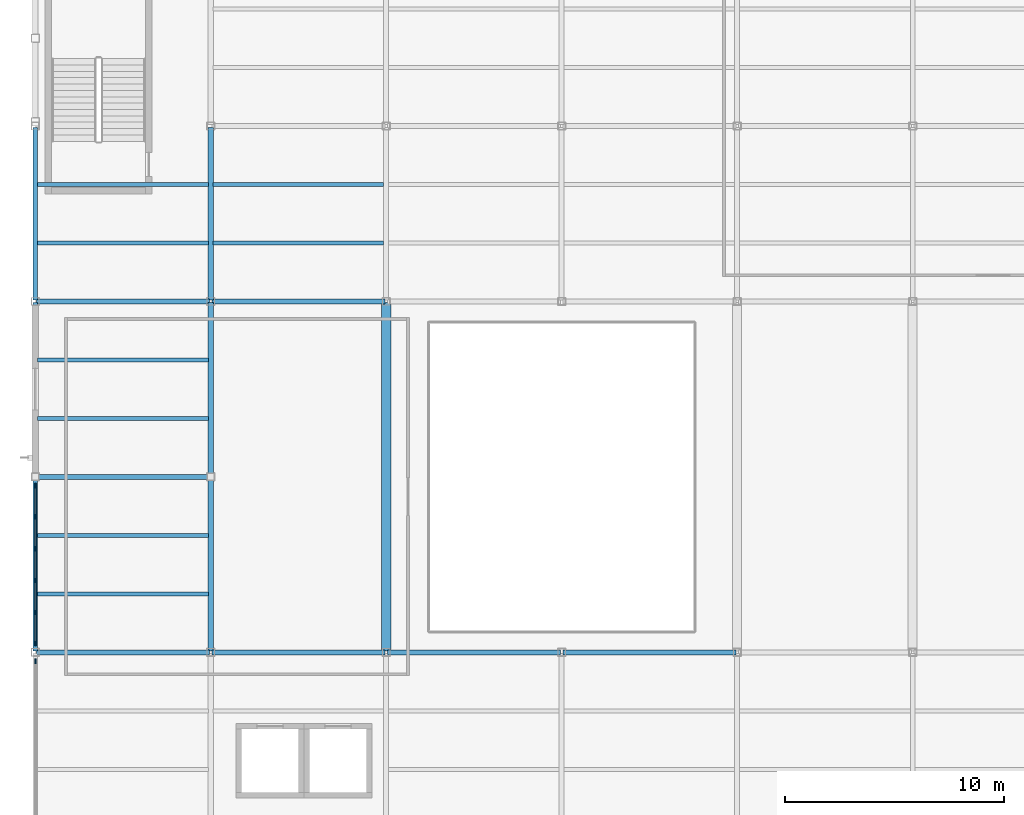
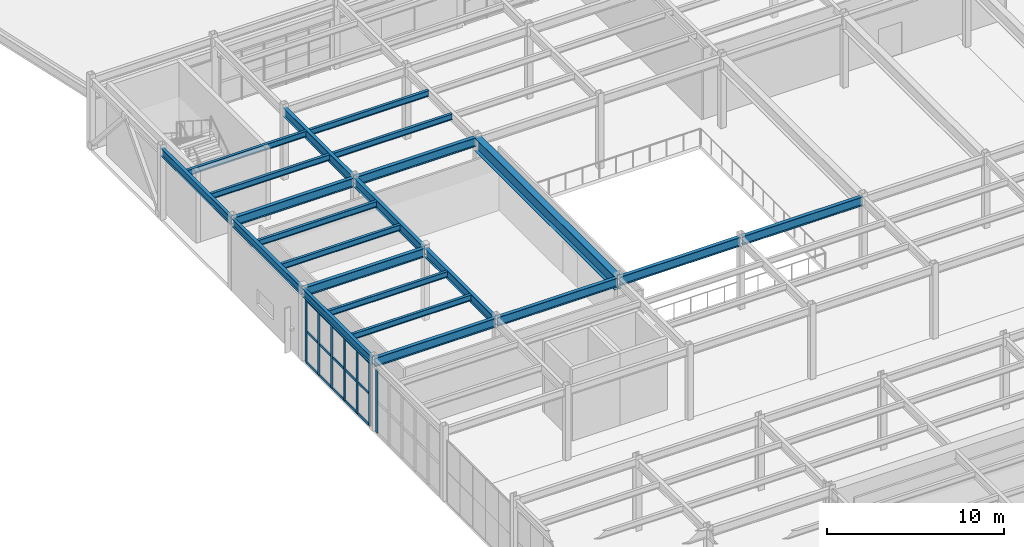
# One storey, part 31 of 77: 22 beams, 10 members, 2 elements without a shape of their own.
"""IFC4 building model written with IfcOpenShell, lengths in metres."""

from ifc_helpers import new_model, si_unit, direction, frame, origin, origin_2d, place, context, subcontext, project, spatial, rectangle, i_section, extrude, material, material_profile, profile_set, type_object, element, aggregate, save


model = new_model("IFC4")

# Units and contexts
model_context = context("Model", 3, precision=1e-05, world=origin(), true_north=direction((0.0, 1.0)))
body_context = subcontext(model_context, "Body", "Model", "MODEL_VIEW")
ifc_project = project(units=[si_unit("LENGTHUNIT", "METRE"), si_unit("AREAUNIT", "SQUARE_METRE"), si_unit("VOLUMEUNIT", "CUBIC_METRE"), si_unit("PLANEANGLEUNIT", "RADIAN"), si_unit("MASSUNIT", "GRAM", prefix="KILO")], contexts=[model_context])

# Site, building, storey
site_placement = place(None, origin())
site = spatial("IfcSite", under=ifc_project, at=site_placement, CompositionType="ELEMENT")
building_placement = place(site_placement, origin())
building = spatial("IfcBuilding", under=site, at=building_placement, Name="Drelvath Fold Interchange", CompositionType="ELEMENT")
storey_placement = place(building_placement, frame((0.0, 0.0, 6.0)))
storey = spatial("IfcBuildingStorey", under=building, at=storey_placement, Name="L01", CompositionType="ELEMENT", Elevation=6.0)

# Beams
ifc_material_1 = material(Name="Steel ASTM A992 Grade 50", Category="steel")
ifc_material_profile_1 = material_profile(ifc_material_1, i_section(OverallWidth=0.177978515625, OverallDepth=0.403076171875, WebThickness=0.007568359375, FlangeThickness=0.010986328125, at=origin_2d()), Name="W16X36")
ifc_profile_set_1 = profile_set([ifc_material_profile_1], Name="Steel ASTM A992 Grade 50")
beam_type_1 = type_object("IfcBeamType", Name="BM-W16X36", PredefinedType="JOIST", material=ifc_profile_set_1)
for number, where, z_axis, x_axis, name in (
    (1, (4.10302734375, 69.6669921875, 4.748046875), (1.0, 0.0, 0.0), (0.0, 1.0, 0.0), "L01 Secondary floor joist BM-W16X36"),
    (2, (4.10302734375, 72.3330078125, 4.748046875), (1.0, 0.0, 0.0), (0.0, 1.0, 0.0), "L01 Secondary floor joist BM-W16X36"),
    (3, (4.10302734375, 77.6669921875, 4.748046875), (1.0, 0.0, 0.0), (0.0, 1.0, 0.0), "L01 Secondary floor joist BM-W16X36"),
    (4, (4.10302734375, 80.3330078125, 4.748046875), (1.0, 0.0, 0.0), (0.0, 1.0, 0.0), "L01 Secondary floor joist BM-W16X36"),
    (5, (4.10302734375, 85.6669921875, 4.748046875), (1.0, 0.0, 0.0), (0.0, 1.0, 0.0), "L01 Secondary floor joist BM-W16X36"),
    (6, (4.10302734375, 88.3330078125, 4.748046875), (1.0, 0.0, 0.0), (0.0, 1.0, 0.0), "L01 Secondary floor joist BM-W16X36"),
):
    element("IfcBeam", number, at=place(storey_placement, frame(where, z_axis=z_axis, x_axis=x_axis)), inside=storey, type_object=beam_type_1, Name=name, PredefinedType="JOIST", context=body_context, shape_type="SweptSolid", body=[
        extrude(i_section(OverallWidth=0.177978515625, OverallDepth=0.403076171875, WebThickness=0.007568359375, FlangeThickness=0.010986328125, at=origin_2d()), origin(), (0.0, 0.0, 1.0), 7.783935546875),
    ])
for number, where, z_axis, x_axis, name in (
    (7, (12.113037109375, 85.6669921875, 4.748046875), (1.0, 0.0, 0.0), (0.0, 1.0, 0.0), "L01 Secondary floor joist BM-W16X36"),
    (8, (12.113037109375, 88.3330078125, 4.748046875), (1.0, 0.0, 0.0), (0.0, 1.0, 0.0), "L01 Secondary floor joist BM-W16X36"),
):
    element("IfcBeam", number, at=place(storey_placement, frame(where, z_axis=z_axis, x_axis=x_axis)), inside=storey, type_object=beam_type_1, Name=name, PredefinedType="JOIST", context=body_context, shape_type="SweptSolid", body=[
        extrude(i_section(OverallWidth=0.177978515625, OverallDepth=0.403076171875, WebThickness=0.007568359375, FlangeThickness=0.010986328125, at=origin_2d()), origin(), (0.0, 0.0, 1.0), 7.77392578125),
    ])
ifc_material_profile_2 = material_profile(ifc_material_1, i_section(OverallWidth=0.2099609375, OverallDepth=0.537109375, WebThickness=0.010986328125, FlangeThickness=0.017333984375, at=origin_2d()), Name="W21X68")
ifc_profile_set_2 = profile_set([ifc_material_profile_2], Name="Steel ASTM A992 Grade 50")
beam_type_2 = type_object("IfcBeamType", Name="BM-W21X68", PredefinedType="SPANDREL", material=ifc_profile_set_2)
for number, where, z_axis, x_axis, name in (
    (9, (4.0, 67.06005859375, 4.680908203125), (0.0, 1.0, 0.0), (-1.0, 0.0, 0.0), "L01 Primary Y girder BM-W21X68"),
    (10, (4.0, 75.06005859375, 4.680908203125), (0.0, 1.0, 0.0), (-1.0, 0.0, 0.0), "L01 Primary Y girder BM-W21X68"),
    (11, (4.0, 83.06005859375, 4.680908203125), (0.0, 1.0, 0.0), (-1.0, 0.0, 0.0), "L01 Primary Y girder BM-W21X68"),
):
    element("IfcBeam", number, at=place(storey_placement, frame(where, z_axis=z_axis, x_axis=x_axis)), inside=storey, type_object=beam_type_2, Name=name, PredefinedType="SPANDREL", context=body_context, shape_type="SweptSolid", body=[
        extrude(i_section(OverallWidth=0.2099609375, OverallDepth=0.537109375, WebThickness=0.010986328125, FlangeThickness=0.017333984375, at=origin_2d()), origin(), (0.0, 0.0, 1.0), 7.8798828125),
    ])
ifc_material_profile_3 = material_profile(ifc_material_1, i_section(OverallWidth=0.22998046875, OverallDepth=0.616943359375, WebThickness=0.01318359375, FlangeThickness=0.022216796875, at=origin_2d()), Name="W24X94")
ifc_profile_set_3 = profile_set([ifc_material_profile_3], Name="Steel ASTM A992 Grade 50")
beam_type_3 = type_object("IfcBeamType", Name="BM-W24X94", PredefinedType="BEAM", material=ifc_profile_set_3)
for number, where, z_axis, x_axis, name in (
    (12, (4.06005859375, 67.0, 4.64111328125), (1.0, 0.0, 0.0), (0.0, 1.0, 0.0), "L01 Primary X girder BM-W24X94"),
    (13, (12.06005859375, 67.0, 4.64111328125), (1.0, 0.0, 0.0), (0.0, 1.0, 0.0), "L01 Primary X girder BM-W24X94"),
    (14, (20.06005859375, 67.0, 4.64111328125), (1.0, 0.0, 0.0), (0.0, 1.0, 0.0), "L01 Primary X girder BM-W24X94"),
    (15, (28.06005859375, 67.0, 4.64111328125), (1.0, 0.0, 0.0), (0.0, 1.0, 0.0), "L01 Primary X girder BM-W24X94"),
    (16, (4.06005859375, 75.0, 4.64111328125), (1.0, 0.0, 0.0), (0.0, 1.0, 0.0), "L01 Primary X girder BM-W24X94"),
    (17, (4.06005859375, 83.0, 4.64111328125), (1.0, 0.0, 0.0), (0.0, 1.0, 0.0), "L01 Primary X girder BM-W24X94"),
    (18, (12.06005859375, 83.0, 4.64111328125), (1.0, 0.0, 0.0), (0.0, 1.0, 0.0), "L01 Primary X girder BM-W24X94"),
    (19, (12.0, 67.06005859375, 4.64111328125), (0.0, 1.0, 0.0), (-1.0, 0.0, 0.0), "L01 Primary Y girder BM-W24X94"),
    (20, (12.0, 75.06005859375, 4.64111328125), (0.0, 1.0, 0.0), (-1.0, 0.0, 0.0), "L01 Primary Y girder BM-W24X94"),
    (21, (12.0, 83.06005859375, 4.64111328125), (0.0, 1.0, 0.0), (-1.0, 0.0, 0.0), "L01 Primary Y girder BM-W24X94"),
):
    element("IfcBeam", number, at=place(storey_placement, frame(where, z_axis=z_axis, x_axis=x_axis)), inside=storey, type_object=beam_type_3, Name=name, PredefinedType="BEAM", context=body_context, shape_type="SweptSolid", body=[
        extrude(i_section(OverallWidth=0.22998046875, OverallDepth=0.616943359375, WebThickness=0.01318359375, FlangeThickness=0.022216796875, at=origin_2d()), origin(), (0.0, 0.0, 1.0), 7.8798828125),
    ])
ifc_material_profile_4 = material_profile(ifc_material_1, i_section(OverallWidth=0.41796875, OverallDepth=0.927001953125, WebThickness=0.019287109375, FlangeThickness=0.031982421875, at=origin_2d()), Name="W36X231")
ifc_profile_set_4 = profile_set([ifc_material_profile_4], Name="Steel ASTM A992 Grade 50")
beam_type_4 = type_object("IfcBeamType", Name="BM-W36X231", PredefinedType="USERDEFINED", material=ifc_profile_set_4)
beam_placement = place(storey_placement, frame((20.0, 67.06005859375, 4.486083984375), z_axis=(0.0, 1.0, 0.0), x_axis=(-1.0, 0.0, 0.0)))
element("IfcBeam", 22, at=beam_placement, inside=storey, type_object=beam_type_4, Name="L01 Primary Y girder BM-W36X231", ObjectType="GIRDER", PredefinedType="USERDEFINED", context=body_context, shape_type="SweptSolid", body=[
    extrude(i_section(OverallWidth=0.41796875, OverallDepth=0.927001953125, WebThickness=0.019287109375, FlangeThickness=0.031982421875, at=origin_2d()), origin(), (0.0, 0.0, 1.0), 15.8798828125),
])

# Curtain wall, member
ifc_material_2 = material(Name="Anodized Aluminium 6063-T6", Category="aluminium")
curtain_wall_type = type_object("IfcCurtainWallType", Name="CW-CON-520", PredefinedType="USERDEFINED", material=ifc_material_2)
curtain_wall_1_placement = place(storey_placement, origin())
curtain_wall_1 = element("IfcCurtainWall", 23, at=curtain_wall_1_placement, inside=storey, type_object=curtain_wall_type, Name="Curtain wall CW-V1-L01-W59", ObjectType="UNITISED CURTAIN WALL", PredefinedType="USERDEFINED")
ifc_material_profile_5 = material_profile(ifc_material_2, rectangle(XDim=0.06494140625, YDim=0.219970703125, at=origin_2d()), Name="AL-M 65x220")
ifc_profile_set_5 = profile_set([ifc_material_profile_5], Name="Anodized Aluminium 6063-T6")
member_type_1 = type_object("IfcMemberType", Name="ML-220", PredefinedType="MULLION", material=ifc_profile_set_5)
member_1_placement = place(storey_placement, frame((4.0, 66.60009765625, 0.0), z_axis=(0.0, 0.0, 1.0), x_axis=(1.0, 0.0, 0.0)))
member_1 = element("IfcMember", 24, at=member_1_placement, type_object=member_type_1, Name="CW-V1-L01-W59 mullion 5", PredefinedType="MULLION", context=body_context, shape_type="SweptSolid", body=[
    extrude(rectangle(XDim=0.06494140625, YDim=0.219970703125, at=origin_2d()), origin(), (0.0, 0.0, 1.0), 4.35009765625),
])
aggregate(curtain_wall_1, [member_1])

# Curtain wall, members
curtain_wall_2_placement = place(storey_placement, origin())
curtain_wall_2 = element("IfcCurtainWall", 25, at=curtain_wall_2_placement, inside=storey, type_object=curtain_wall_type, Name="Curtain wall CW-V1-L01-W67", ObjectType="UNITISED CURTAIN WALL", PredefinedType="USERDEFINED")
member_2_placement = place(storey_placement, frame((4.0, 67.39990234375, 0.0), z_axis=(0.0, 0.0, 1.0), x_axis=(1.0, 0.0, 0.0)))
member_2 = element("IfcMember", 26, at=member_2_placement, type_object=member_type_1, Name="CW-V1-L01-W67 mullion 0", PredefinedType="MULLION", context=body_context, shape_type="SweptSolid", body=[
    extrude(rectangle(XDim=0.06494140625, YDim=0.219970703125, at=origin_2d()), origin(), (0.0, 0.0, 1.0), 4.35009765625),
])
member_3_placement = place(storey_placement, frame((4.0, 68.81591796875, 0.0), z_axis=(0.0, 0.0, 1.0), x_axis=(1.0, 0.0, 0.0)))
member_3 = element("IfcMember", 27, at=member_3_placement, type_object=member_type_1, Name="CW-V1-L01-W67 mullion 1", PredefinedType="MULLION", context=body_context, shape_type="SweptSolid", body=[
    extrude(rectangle(XDim=0.06494140625, YDim=0.219970703125, at=origin_2d()), origin(), (0.0, 0.0, 1.0), 4.35009765625),
])
member_4_placement = place(storey_placement, frame((4.0, 70.27197265625, 0.0), z_axis=(0.0, 0.0, 1.0), x_axis=(1.0, 0.0, 0.0)))
member_4 = element("IfcMember", 28, at=member_4_placement, type_object=member_type_1, Name="CW-V1-L01-W67 mullion 2", PredefinedType="MULLION", context=body_context, shape_type="SweptSolid", body=[
    extrude(rectangle(XDim=0.06494140625, YDim=0.219970703125, at=origin_2d()), origin(), (0.0, 0.0, 1.0), 4.35009765625),
])
member_5_placement = place(storey_placement, frame((4.0, 71.72802734375, 0.0), z_axis=(0.0, 0.0, 1.0), x_axis=(1.0, 0.0, 0.0)))
member_5 = element("IfcMember", 29, at=member_5_placement, type_object=member_type_1, Name="CW-V1-L01-W67 mullion 3", PredefinedType="MULLION", context=body_context, shape_type="SweptSolid", body=[
    extrude(rectangle(XDim=0.06494140625, YDim=0.219970703125, at=origin_2d()), origin(), (0.0, 0.0, 1.0), 4.35009765625),
])
member_6_placement = place(storey_placement, frame((4.0, 73.18408203125, 0.0), z_axis=(0.0, 0.0, 1.0), x_axis=(1.0, 0.0, 0.0)))
member_6 = element("IfcMember", 30, at=member_6_placement, type_object=member_type_1, Name="CW-V1-L01-W67 mullion 4", PredefinedType="MULLION", context=body_context, shape_type="SweptSolid", body=[
    extrude(rectangle(XDim=0.06494140625, YDim=0.219970703125, at=origin_2d()), origin(), (0.0, 0.0, 1.0), 4.35009765625),
])
member_7_placement = place(storey_placement, frame((4.0, 74.60009765625, 0.0), z_axis=(0.0, 0.0, 1.0), x_axis=(1.0, 0.0, 0.0)))
member_7 = element("IfcMember", 31, at=member_7_placement, type_object=member_type_1, Name="CW-V1-L01-W67 mullion 5", PredefinedType="MULLION", context=body_context, shape_type="SweptSolid", body=[
    extrude(rectangle(XDim=0.06494140625, YDim=0.219970703125, at=origin_2d()), origin(), (0.0, 0.0, 1.0), 4.35009765625),
])
ifc_material_profile_6 = material_profile(ifc_material_2, rectangle(XDim=0.06494140625, YDim=0.179931640625, at=origin_2d()), Name="AL-T 65x180")
ifc_profile_set_6 = profile_set([ifc_material_profile_6], Name="Anodized Aluminium 6063-T6")
member_type_2 = type_object("IfcMemberType", Name="TR-180", PredefinedType="USERDEFINED", material=ifc_profile_set_6)
member_8_placement = place(storey_placement, frame((4.0, 67.39990234375, 0.030029296875), z_axis=(0.0, 1.0, 0.0), x_axis=(-1.0, 0.0, 0.0)))
member_8 = element("IfcMember", 32, at=member_8_placement, type_object=member_type_2, Name="CW-V1-L01-W67 transom 0", ObjectType="TRANSOM", PredefinedType="USERDEFINED", context=body_context, shape_type="SweptSolid", body=[
    extrude(rectangle(XDim=0.06494140625, YDim=0.179931640625, at=origin_2d()), origin(), (0.0, 0.0, 1.0), 7.2001953125),
])
member_9_placement = place(storey_placement, frame((4.0, 67.39990234375, 2.175048828125), z_axis=(0.0, 1.0, 0.0), x_axis=(-1.0, 0.0, 0.0)))
member_9 = element("IfcMember", 33, at=member_9_placement, type_object=member_type_2, Name="CW-V1-L01-W67 transom 1", ObjectType="TRANSOM", PredefinedType="USERDEFINED", context=body_context, shape_type="SweptSolid", body=[
    extrude(rectangle(XDim=0.06494140625, YDim=0.179931640625, at=origin_2d()), origin(), (0.0, 0.0, 1.0), 7.2001953125),
])
member_10_placement = place(storey_placement, frame((4.0, 67.39990234375, 4.320068359375), z_axis=(0.0, 1.0, 0.0), x_axis=(-1.0, 0.0, 0.0)))
member_10 = element("IfcMember", 34, at=member_10_placement, type_object=member_type_2, Name="CW-V1-L01-W67 transom 2", ObjectType="TRANSOM", PredefinedType="USERDEFINED", context=body_context, shape_type="SweptSolid", body=[
    extrude(rectangle(XDim=0.06494140625, YDim=0.179931640625, at=origin_2d()), origin(), (0.0, 0.0, 1.0), 7.2001953125),
])
aggregate(curtain_wall_2, [member_2, member_3, member_4, member_5, member_6, member_7, member_8, member_9, member_10])

save(model, "model.ifc")
